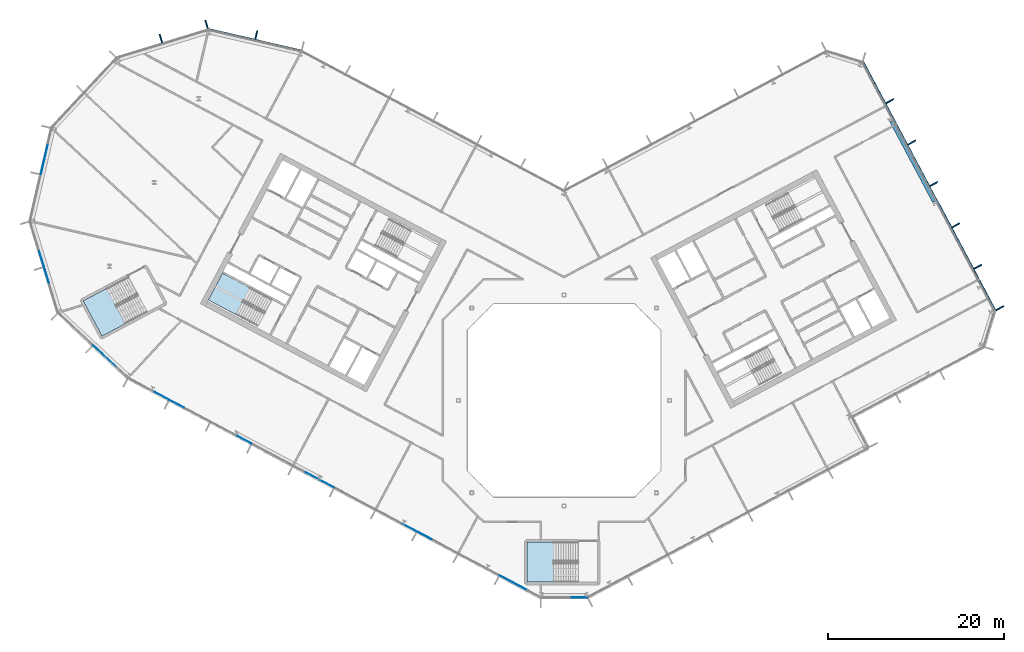
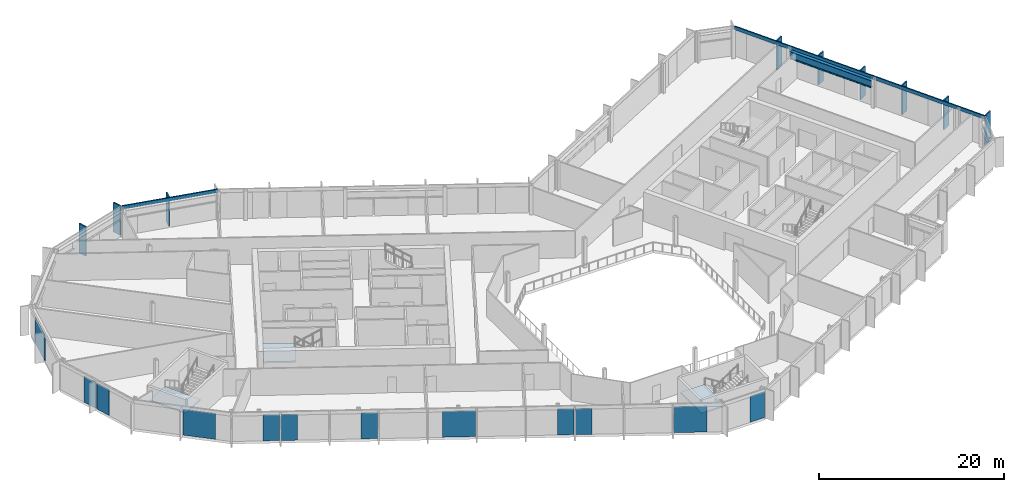
# One storey, part 10 of 27: 12 plates, 11 members, 3 slabs, 1 beam, 11 elements without a shape of their own.
"""IFC4 building model written with IfcOpenShell, lengths in metres."""

from ifc_helpers import new_model, si_unit, direction, frame, origin, origin_2d, place, context, subcontext, project, spatial, polyline, rectangle, i_section, outline, extrude, material, layer, layer_set, material_profile, profile_set, type_object, element, aggregate, save


model = new_model("IFC4")

# Units and contexts
model_context = context("Model", 3, precision=1e-05, world=origin(), true_north=direction((0.0, 1.0)))
body_context = subcontext(model_context, "Body", "Model", "MODEL_VIEW")
ifc_project = project(units=[si_unit("LENGTHUNIT", "METRE"), si_unit("AREAUNIT", "SQUARE_METRE"), si_unit("VOLUMEUNIT", "CUBIC_METRE"), si_unit("PLANEANGLEUNIT", "RADIAN"), si_unit("MASSUNIT", "GRAM", prefix="KILO")], contexts=[model_context])

# Site, building, storey
site_placement = place(None, origin())
site = spatial("IfcSite", under=ifc_project, at=site_placement, CompositionType="ELEMENT")
building_placement = place(site_placement, origin())
building = spatial("IfcBuilding", under=site, at=building_placement, Name="Cormorant Relay Tower", CompositionType="ELEMENT")
storey_placement = place(building_placement, frame((0.0, 0.0, 209.10009765625)))
storey = spatial("IfcBuildingStorey", under=building, at=storey_placement, Name="L45", CompositionType="ELEMENT", Elevation=209.10009765625)

# Curtain wall, members
ifc_material_1 = material(Name="Aluminium 6063-T6 anodised bronze", Category="aluminium")
ifc_layer_1 = layer(ifc_material_1, 0.199951171875)
ifc_layer_set_1 = layer_set([ifc_layer_1], Name="CW1 unitised bronze curtain wall with vertical fins")
curtain_wall_type = type_object("IfcCurtainWallType", Name="CW1 unitised bronze curtain wall with vertical fins", PredefinedType="NOTDEFINED", material=ifc_layer_set_1)
curtain_wall_1_placement = place(storey_placement, origin())
curtain_wall_1 = element("IfcCurtainWall", 1, at=curtain_wall_1_placement, inside=storey, type_object=curtain_wall_type, Name="CW1 curtain wall 6", PredefinedType="NOTDEFINED")
ifc_material_2 = material(Name="Aluminium 6063-T6 anodised bronze", Category="aluminium")
ifc_material_profile_1 = material_profile(ifc_material_2, rectangle(XDim=0.14990234375, YDim=1.0, at=origin_2d()), Name="AL 150x1000")
ifc_profile_set_1 = profile_set([ifc_material_profile_1], Name="Aluminium 6063-T6 anodised bronze")
member_type_1 = type_object("IfcMemberType", Name="CW1 bronze fin mullion 150 x 1000", PredefinedType="MULLION", material=ifc_profile_set_1)
member_1_placement = place(storey_placement, frame((49.572021484375, 10.501953125, 0.0), z_axis=(0.0, 0.0, 1.0), x_axis=(-0.469471562786, 0.882947592859, 0.0)))
member_1 = element("IfcMember", 2, at=member_1_placement, type_object=member_type_1, Name="CW1 fin 6.1", PredefinedType="MULLION", context=body_context, shape_type="SweptSolid", body=[
    extrude(rectangle(XDim=0.14990234375, YDim=1.0, at=origin_2d()), origin(), (0.0, 0.0, 1.0), 3.89990234375),
])
member_2_placement = place(storey_placement, frame((47.068359375, 15.211181640625, 0.0), z_axis=(0.0, 0.0, 1.0), x_axis=(-0.469471562786, 0.882947592859, 0.0)))
member_2 = element("IfcMember", 3, at=member_2_placement, type_object=member_type_1, Name="CW1 fin 6.2", PredefinedType="MULLION", context=body_context, shape_type="SweptSolid", body=[
    extrude(rectangle(XDim=0.14990234375, YDim=1.0, at=origin_2d()), origin(), (0.0, 0.0, 1.0), 3.89990234375),
])
member_3_placement = place(storey_placement, frame((44.564453125, 19.920166015625, 0.0), z_axis=(0.0, 0.0, 1.0), x_axis=(-0.469471562786, 0.882947592859, 0.0)))
member_3 = element("IfcMember", 4, at=member_3_placement, type_object=member_type_1, Name="CW1 fin 6.3", PredefinedType="MULLION", context=body_context, shape_type="SweptSolid", body=[
    extrude(rectangle(XDim=0.14990234375, YDim=1.0, at=origin_2d()), origin(), (0.0, 0.0, 1.0), 3.89990234375),
])
member_4_placement = place(storey_placement, frame((42.060546875, 24.629150390625, 0.0), z_axis=(0.0, 0.0, 1.0), x_axis=(-0.469471562786, 0.882947592859, 0.0)))
member_4 = element("IfcMember", 5, at=member_4_placement, type_object=member_type_1, Name="CW1 fin 6.4", PredefinedType="MULLION", context=body_context, shape_type="SweptSolid", body=[
    extrude(rectangle(XDim=0.14990234375, YDim=1.0, at=origin_2d()), origin(), (0.0, 0.0, 1.0), 3.89990234375),
])
member_5_placement = place(storey_placement, frame((39.556884765625, 29.338134765625, 0.0), z_axis=(0.0, 0.0, 1.0), x_axis=(-0.469471562786, 0.882947592859, 0.0)))
member_5 = element("IfcMember", 6, at=member_5_placement, type_object=member_type_1, Name="CW1 fin 6.5", PredefinedType="MULLION", context=body_context, shape_type="SweptSolid", body=[
    extrude(rectangle(XDim=0.14990234375, YDim=1.0, at=origin_2d()), origin(), (0.0, 0.0, 1.0), 3.89990234375),
])
member_6_placement = place(storey_placement, frame((37.052978515625, 34.04736328125, 0.0), z_axis=(0.0, 0.0, 1.0), x_axis=(-0.469471562786, 0.882947592859, 0.0)))
member_6 = element("IfcMember", 7, at=member_6_placement, type_object=member_type_1, Name="CW1 fin 6.6", PredefinedType="MULLION", context=body_context, shape_type="SweptSolid", body=[
    extrude(rectangle(XDim=0.14990234375, YDim=1.0, at=origin_2d()), origin(), (0.0, 0.0, 1.0), 3.89990234375),
])

# Curtain wall, member
curtain_wall_2_placement = place(storey_placement, origin())
curtain_wall_2 = element("IfcCurtainWall", 8, at=curtain_wall_2_placement, inside=storey, type_object=curtain_wall_type, Name="CW1 curtain wall 10", PredefinedType="NOTDEFINED")
member_7_placement = place(storey_placement, frame((-35.01220703125, 41.57275390625, 0.0), z_axis=(0.0, 0.0, 1.0), x_axis=(-0.974370064785, 0.224951054344, 0.0)))
member_7 = element("IfcMember", 9, at=member_7_placement, type_object=member_type_1, Name="CW1 fin 10.2", PredefinedType="MULLION", context=body_context, shape_type="SweptSolid", body=[
    extrude(rectangle(XDim=0.14990234375, YDim=1.0, at=origin_2d()), origin(), (0.0, 0.0, 1.0), 3.89990234375),
])

# Curtain wall, members
curtain_wall_3_placement = place(storey_placement, origin())
curtain_wall_3 = element("IfcCurtainWall", 10, at=curtain_wall_3_placement, inside=storey, type_object=curtain_wall_type, Name="CW1 curtain wall 11", PredefinedType="NOTDEFINED")
member_8_placement = place(storey_placement, frame((-40.670166015625, 42.78271484375, 0.0), z_axis=(0.0, 0.0, 1.0), x_axis=(-0.956304755963, -0.292371704723, 0.0)))
member_8 = element("IfcMember", 11, at=member_8_placement, type_object=member_type_1, Name="CW1 fin 11.1", PredefinedType="MULLION", context=body_context, shape_type="SweptSolid", body=[
    extrude(rectangle(XDim=0.14990234375, YDim=1.0, at=origin_2d()), origin(), (0.0, 0.0, 1.0), 3.89990234375),
])
member_9_placement = place(storey_placement, frame((-45.867919921875, 41.193603515625, 0.0), z_axis=(0.0, 0.0, 1.0), x_axis=(-0.956304755963, -0.292371704723, 0.0)))
member_9 = element("IfcMember", 12, at=member_9_placement, type_object=member_type_1, Name="CW1 fin 11.2", PredefinedType="MULLION", context=body_context, shape_type="SweptSolid", body=[
    extrude(rectangle(XDim=0.14990234375, YDim=1.0, at=origin_2d()), origin(), (0.0, 0.0, 1.0), 3.89990234375),
])
aggregate(curtain_wall_3, [member_8, member_9])

# Member
ifc_material_3 = material(Name="Aluminium 6063-T6 anodised bronze", Category="aluminium")
ifc_material_profile_2 = material_profile(ifc_material_3, rectangle(XDim=0.159912109375, YDim=0.449951171875, at=origin_2d()), Name="AL 160x450")
ifc_profile_set_2 = profile_set([ifc_material_profile_2], Name="Aluminium 6063-T6 anodised bronze")
member_type_2 = type_object("IfcMemberType", Name="CW1 bronze transom 160 x 450", PredefinedType="USERDEFINED", material=ifc_profile_set_2)
member_10_placement = place(storey_placement, frame((49.06005859375, 10.229736328125, 3.6748046875), z_axis=(-0.46947036835, 0.882948227951, 0.0), x_axis=(-0.882948227951, -0.46947036835, 0.0)))
member_10 = element("IfcMember", 13, at=member_10_placement, type_object=member_type_2, Name="CW1 transom 6", ObjectType="TRANSOM", PredefinedType="USERDEFINED", context=body_context, shape_type="SweptSolid", body=[
    extrude(rectangle(XDim=0.159912109375, YDim=0.449951171875, at=origin_2d()), origin(), (0.0, 0.0, 1.0), 31.999755859375),
])

aggregate(curtain_wall_1, [member_1, member_2, member_3, member_4, member_5, member_6, member_10])

member_11_placement = place(storey_placement, frame((-29.8466796875, 39.784912109375, 3.6748046875), z_axis=(-0.974365070969, 0.224972683844, 0.0), x_axis=(-0.224972683844, -0.974365070969, 0.0)))
member_11 = element("IfcMember", 14, at=member_11_placement, type_object=member_type_2, Name="CW1 transom 10", ObjectType="TRANSOM", PredefinedType="USERDEFINED", context=body_context, shape_type="SweptSolid", body=[
    extrude(rectangle(XDim=0.159912109375, YDim=0.449951171875, at=origin_2d()), origin(), (0.0, 0.0, 1.0), 10.870361328125),
])

aggregate(curtain_wall_2, [member_7, member_11])

# Beam
ifc_material_4 = material(Name="Steel ASTM A992 (Fy 345 MPa)", Category="steel")
ifc_material_profile_3 = material_profile(ifc_material_4, i_section(OverallWidth=0.4013671875, OverallDepth=0.990478515625, WebThickness=0.0166015625, FlangeThickness=0.031005859375, FilletRadius=0.030029296875, at=origin_2d()), Name="W1000x320")
ifc_profile_set_3 = profile_set([ifc_material_profile_3], Name="Steel ASTM A992 (Fy 345 MPa)")
beam_type = type_object("IfcBeamType", Name="Spandrel W1000x320", PredefinedType="SPANDREL", material=ifc_profile_set_3)
beam_placement = place(storey_placement, frame((42.109619140625, 22.61865234375, 3.044677734375), z_axis=(-0.469476269233, 0.882945090381, 0.0), x_axis=(-0.882945090381, -0.469476269233, 0.0)))
element("IfcBeam", 15, at=beam_placement, inside=storey, type_object=beam_type, Name="Spandrel beam L45-006", PredefinedType="SPANDREL", context=body_context, shape_type="SweptSolid", body=[
    extrude(i_section(OverallWidth=0.4013671875, OverallDepth=0.990478515625, WebThickness=0.0166015625, FlangeThickness=0.031005859375, FilletRadius=0.030029296875, at=origin_2d()), origin(), (0.0, 0.0, 1.0), 10.396484375),
])

# Curtain wall, plate
curtain_wall_4_placement = place(storey_placement, origin())
curtain_wall_4 = element("IfcCurtainWall", 16, at=curtain_wall_4_placement, inside=storey, type_object=curtain_wall_type, Name="CW1 curtain wall 1", PredefinedType="NOTDEFINED")
ifc_material_5 = material(Name="Tinted laminated glass", Category="glass")
ifc_layer_2 = layer(ifc_material_5, 0.0400390625)
ifc_layer_set_2 = layer_set([ifc_layer_2], Name="CW1 tinted vision panel 1800 module")
plate_type_1 = type_object("IfcPlateType", Name="CW1 tinted vision panel 1800 module", PredefinedType="CURTAIN_PANEL", material=ifc_layer_set_2)
plate_1_placement = place(storey_placement, frame((1.748779296875, -22.3955078125, 0.0), z_axis=(0.0, 0.0, 1.0), x_axis=(1.0, 0.0, 0.0)))
plate_1 = element("IfcPlate", 17, at=plate_1_placement, type_object=plate_type_1, Name="CW1 panel V01", PredefinedType="CURTAIN_PANEL", context=body_context, shape_type="SweptSolid", body=[
    extrude(rectangle(XDim=1.800048828125, YDim=0.0400390625, at=origin_2d()), origin(), (0.0, 0.0, 1.0), 3.449951171875),
])
aggregate(curtain_wall_4, [plate_1])

# Curtain wall, plates
curtain_wall_5_placement = place(storey_placement, origin())
curtain_wall_5 = element("IfcCurtainWall", 18, at=curtain_wall_5_placement, inside=storey, type_object=curtain_wall_type, Name="CW1 curtain wall 14", PredefinedType="NOTDEFINED")
plate_2_placement = place(storey_placement, frame((-59.434814453125, 16.122314453125, 0.0), z_axis=(0.0, 0.0, 1.0), x_axis=(0.292371704723, -0.956304755963, 0.0)))
plate_2 = element("IfcPlate", 19, at=plate_2_placement, type_object=plate_type_1, Name="CW1 panel V01", PredefinedType="CURTAIN_PANEL", context=body_context, shape_type="SweptSolid", body=[
    extrude(rectangle(XDim=1.800048828125, YDim=0.0400390625, at=origin_2d()), origin(), (0.0, 0.0, 1.0), 3.449951171875),
])
plate_3_placement = place(storey_placement, frame((-58.86474609375, 14.25732421875, 0.0), z_axis=(0.0, 0.0, 1.0), x_axis=(0.292371704723, -0.956304755963, 0.0)))
plate_3 = element("IfcPlate", 20, at=plate_3_placement, type_object=plate_type_1, Name="CW1 panel V02", PredefinedType="CURTAIN_PANEL", context=body_context, shape_type="SweptSolid", body=[
    extrude(rectangle(XDim=1.800048828125, YDim=0.0400390625, at=origin_2d()), origin(), (0.0, 0.0, 1.0), 3.449951171875),
])
aggregate(curtain_wall_5, [plate_2, plate_3])

curtain_wall_6_placement = place(storey_placement, origin())
curtain_wall_6 = element("IfcCurtainWall", 21, at=curtain_wall_6_placement, inside=storey, type_object=curtain_wall_type, Name="CW1 curtain wall 16", PredefinedType="NOTDEFINED")
plate_4_placement = place(storey_placement, frame((-45.767578125, 0.5283203125, 0.0), z_axis=(0.0, 0.0, 1.0), x_axis=(0.882947592859, -0.469471562786, 0.0)))
plate_4 = element("IfcPlate", 22, at=plate_4_placement, type_object=plate_type_1, Name="CW1 panel V01", PredefinedType="CURTAIN_PANEL", context=body_context, shape_type="SweptSolid", body=[
    extrude(rectangle(XDim=1.800048828125, YDim=0.0400390625, at=origin_2d()), origin(), (0.0, 0.0, 1.0), 3.449951171875),
])
plate_5_placement = place(storey_placement, frame((-44.0458984375, -0.38720703125, 0.0), z_axis=(0.0, 0.0, 1.0), x_axis=(0.882947592859, -0.469471562786, 0.0)))
plate_5 = element("IfcPlate", 23, at=plate_5_placement, type_object=plate_type_1, Name="CW1 panel V02", PredefinedType="CURTAIN_PANEL", context=body_context, shape_type="SweptSolid", body=[
    extrude(rectangle(XDim=1.800048828125, YDim=0.0400390625, at=origin_2d()), origin(), (0.0, 0.0, 1.0), 3.449951171875),
])
plate_6_placement = place(storey_placement, frame((-36.37890625, -4.463623046875, 0.0), z_axis=(0.0, 0.0, 1.0), x_axis=(0.882947592859, -0.469471562786, 0.0)))
plate_6 = element("IfcPlate", 24, at=plate_6_placement, type_object=plate_type_1, Name="CW1 panel V04", PredefinedType="CURTAIN_PANEL", context=body_context, shape_type="SweptSolid", body=[
    extrude(rectangle(XDim=1.800048828125, YDim=0.0400390625, at=origin_2d()), origin(), (0.0, 0.0, 1.0), 3.449951171875),
])
plate_7_placement = place(storey_placement, frame((-17.601806640625, -14.447509765625, 0.0), z_axis=(0.0, 0.0, 1.0), x_axis=(0.882947592859, -0.469471562786, 0.0)))
plate_7 = element("IfcPlate", 25, at=plate_7_placement, type_object=plate_type_1, Name="CW1 panel V08", PredefinedType="CURTAIN_PANEL", context=body_context, shape_type="SweptSolid", body=[
    extrude(rectangle(XDim=1.800048828125, YDim=0.0400390625, at=origin_2d()), origin(), (0.0, 0.0, 1.0), 3.449951171875),
])
plate_8_placement = place(storey_placement, frame((-15.880126953125, -15.363037109375, 0.0), z_axis=(0.0, 0.0, 1.0), x_axis=(0.882947592859, -0.469471562786, 0.0)))
plate_8 = element("IfcPlate", 26, at=plate_8_placement, type_object=plate_type_1, Name="CW1 panel V09", PredefinedType="CURTAIN_PANEL", context=body_context, shape_type="SweptSolid", body=[
    extrude(rectangle(XDim=1.800048828125, YDim=0.0400390625, at=origin_2d()), origin(), (0.0, 0.0, 1.0), 3.449951171875),
])

# Curtain wall, plate
curtain_wall_7_placement = place(storey_placement, origin())
curtain_wall_7 = element("IfcCurtainWall", 27, at=curtain_wall_7_placement, inside=storey, type_object=curtain_wall_type, Name="CW1 curtain wall 13", PredefinedType="NOTDEFINED")
ifc_material_6 = material(Name="Tinted laminated glass", Category="glass")
ifc_layer_3 = layer(ifc_material_6, 0.0400390625)
ifc_layer_set_3 = layer_set([ifc_layer_3], Name="CW1 tinted vision panel 3600 module")
plate_type_2 = type_object("IfcPlateType", Name="CW1 tinted vision panel 3600 module", PredefinedType="CURTAIN_PANEL", material=ifc_layer_set_3)
plate_9_placement = place(storey_placement, frame((-59.094970703125, 27.520751953125, 0.0), z_axis=(0.0, 0.0, 1.0), x_axis=(-0.224951054344, -0.974370064785, 0.0)))
plate_9 = element("IfcPlate", 28, at=plate_9_placement, type_object=plate_type_2, Name="CW1 panel V01", PredefinedType="CURTAIN_PANEL", context=body_context, shape_type="SweptSolid", body=[
    extrude(rectangle(XDim=3.60009765625, YDim=0.0400390625, at=origin_2d()), origin(), (0.0, 0.0, 1.0), 3.449951171875),
])
aggregate(curtain_wall_7, [plate_9])

curtain_wall_8_placement = place(storey_placement, origin())
curtain_wall_8 = element("IfcCurtainWall", 29, at=curtain_wall_8_placement, inside=storey, type_object=curtain_wall_type, Name="CW1 curtain wall 15", PredefinedType="NOTDEFINED")
plate_10_placement = place(storey_placement, frame((-52.208984375, 4.997802734375, 0.0), z_axis=(0.0, 0.0, 1.0), x_axis=(0.731353701619, -0.681998360062, 0.0)))
plate_10 = element("IfcPlate", 30, at=plate_10_placement, type_object=plate_type_2, Name="CW1 panel V01", PredefinedType="CURTAIN_PANEL", context=body_context, shape_type="SweptSolid", body=[
    extrude(rectangle(XDim=3.60009765625, YDim=0.0400390625, at=origin_2d()), origin(), (0.0, 0.0, 1.0), 3.449951171875),
])
aggregate(curtain_wall_8, [plate_10])

# Plate
plate_11_placement = place(storey_placement, frame((-27.78515625, -9.032958984375, 0.0), z_axis=(0.0, 0.0, 1.0), x_axis=(0.882947592859, -0.469471562786, 0.0)))
plate_11 = element("IfcPlate", 31, at=plate_11_placement, type_object=plate_type_2, Name="CW1 panel V06", PredefinedType="CURTAIN_PANEL", context=body_context, shape_type="SweptSolid", body=[
    extrude(rectangle(XDim=3.60009765625, YDim=0.0400390625, at=origin_2d()), origin(), (0.0, 0.0, 1.0), 3.449951171875),
])

plate_12_placement = place(storey_placement, frame((-5.697021484375, -20.777587890625, 0.0), z_axis=(0.0, 0.0, 1.0), x_axis=(0.882947592859, -0.469471562786, 0.0)))
plate_12 = element("IfcPlate", 32, at=plate_12_placement, type_object=plate_type_2, Name="CW1 panel V11", PredefinedType="CURTAIN_PANEL", context=body_context, shape_type="SweptSolid", body=[
    extrude(rectangle(XDim=3.60009765625, YDim=0.0400390625, at=origin_2d()), origin(), (0.0, 0.0, 1.0), 3.449951171875),
])

aggregate(curtain_wall_6, [plate_4, plate_5, plate_6, plate_11, plate_7, plate_8, plate_12])

# Stair, slab
ifc_material_7 = material(Name="Concrete 40 MPa", Category="concrete")
stair_type_1 = type_object("IfcStairType", Name="Exit stair 1500", PredefinedType="HALF_TURN_STAIR", material=ifc_material_7)
stair_1_placement = place(storey_placement, origin())
stair_1 = element("IfcStair", 33, at=stair_1_placement, inside=storey, type_object=stair_type_1, Name="L45 Stair", PredefinedType="HALF_TURN_STAIR")
ifc_material_8 = material(Name="Concrete 40 MPa", Category="concrete")
ifc_layer_4 = layer(ifc_material_8, 0.199951171875)
ifc_layer_set_4 = layer_set([ifc_layer_4], Name="Exit stair landing 200")
slab_type = type_object("IfcSlabType", Name="Exit stair landing 200", PredefinedType="LANDING", material=ifc_layer_set_4)
slab_1_placement = place(storey_placement, frame((0.0, 0.0, 1.75)))
slab_1 = element("IfcSlab", 34, at=slab_1_placement, type_object=slab_type, Name="A2 landing 1", PredefinedType="LANDING", context=body_context, shape_type="SweptSolid", body=[
    extrude(outline(polyline([(-35.71337890625, 12.816650390625), (-38.84765625, 14.483154296875), (-40.467529296875, 11.43701171875), (-37.3330078125, 9.7705078125), (-35.71337890625, 12.816650390625)])), origin(), (0.0, 0.0, 1.0), 0.199951171875),
])
aggregate(stair_1, [slab_1])

ifc_material_9 = material(Name="Concrete 40 MPa", Category="concrete")
stair_type_2 = type_object("IfcStairType", Name="Remote exit stair 2200", PredefinedType="HALF_TURN_STAIR", material=ifc_material_9)
stair_2_placement = place(storey_placement, origin())
stair_2 = element("IfcStair", 35, at=stair_2_placement, inside=storey, type_object=stair_type_2, Name="L45 Stair", PredefinedType="HALF_TURN_STAIR")
slab_2_placement = place(storey_placement, frame((0.0, 0.0, 1.75)))
slab_2 = element("IfcSlab", 36, at=slab_2_placement, type_object=slab_type, Name="RK1 landing 1", PredefinedType="LANDING", context=body_context, shape_type="SweptSolid", body=[
    extrude(outline(polyline([(-1.199951171875, -16.125), (-4.199951171875, -16.125), (-4.199951171875, -20.675048828125), (-1.199951171875, -20.675048828125), (-1.199951171875, -16.125)])), origin(), (0.0, 0.0, 1.0), 0.199951171875),
])
aggregate(stair_2, [slab_2])

stair_3_placement = place(storey_placement, origin())
stair_3 = element("IfcStair", 37, at=stair_3_placement, inside=storey, type_object=stair_type_2, Name="L45 Stair", PredefinedType="HALF_TURN_STAIR")
slab_3_placement = place(storey_placement, frame((0.0, 0.0, 1.75)))
slab_3 = element("IfcSlab", 38, at=slab_3_placement, type_object=slab_type, Name="RP1 landing 1", PredefinedType="LANDING", context=body_context, shape_type="SweptSolid", body=[
    extrude(outline(polyline([(-52.051025390625, 12.7392578125), (-54.699951171875, 11.330810546875), (-52.563720703125, 7.3134765625), (-49.914794921875, 8.721923828125), (-52.051025390625, 12.7392578125)])), origin(), (0.0, 0.0, 1.0), 0.199951171875),
])
aggregate(stair_3, [slab_3])

save(model, "model.ifc")
